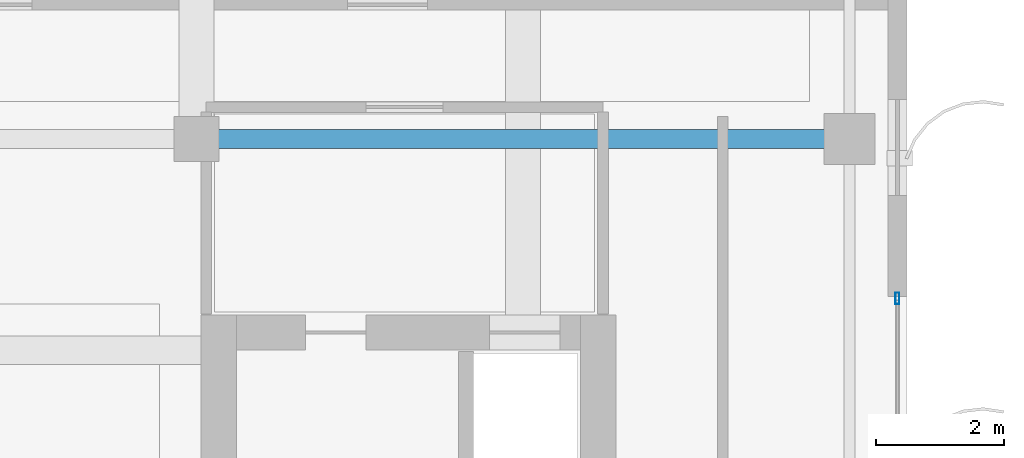
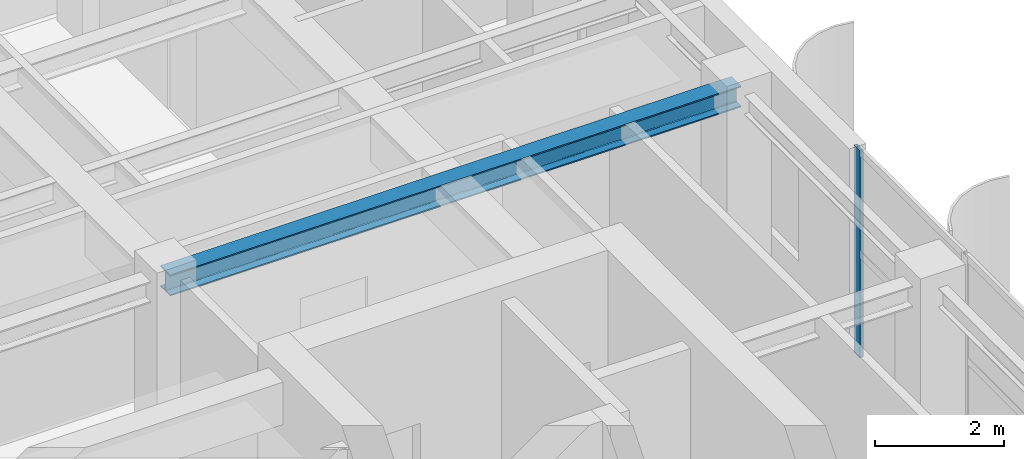
# One storey, part 7 of 19: 1 beam, 1 member, 1 element without a shape of its own.
"""IFC4 building model written with IfcOpenShell, lengths in metres."""

from ifc_helpers import new_model, si_unit, direction, frame, origin, origin_2d, place, context, subcontext, project, spatial, hollow_rectangle, i_section, extrude, source, transform, mapped, material, layer, layer_set, material_profile, profile_set, type_object, element, aggregate, save


model = new_model("IFC4")

# Units and contexts
model_context = context("Model", 3, precision=1e-05, world=origin(), true_north=direction((0.0, 1.0)))
body_context = subcontext(model_context, "Body", "Model", "MODEL_VIEW")
ifc_project = project(units=[si_unit("LENGTHUNIT", "METRE"), si_unit("AREAUNIT", "SQUARE_METRE"), si_unit("VOLUMEUNIT", "CUBIC_METRE"), si_unit("PLANEANGLEUNIT", "RADIAN"), si_unit("MASSUNIT", "GRAM", prefix="KILO")], contexts=[model_context])

# Site, building, storey
site_placement = place(None, origin())
site = spatial("IfcSite", under=ifc_project, at=site_placement, CompositionType="ELEMENT")
building_placement = place(site_placement, origin())
building = spatial("IfcBuilding", under=site, at=building_placement, Name="Khoralis Quay Care Tower", CompositionType="ELEMENT")
storey_placement = place(building_placement, frame((0.0, 0.0, 285.300048828125)))
storey = spatial("IfcBuildingStorey", under=building, at=storey_placement, Name="L75", CompositionType="ELEMENT", Elevation=285.300048828125)

# Beam
ifc_material_1 = material(Name="Steel S355", Category="steel")
ifc_material_profile_1 = material_profile(ifc_material_1, i_section(OverallWidth=0.300048828125, OverallDepth=0.39990234375, WebThickness=0.013427734375, FlangeThickness=0.02392578125, FilletRadius=0.027099609375, at=origin_2d()), Name="Steel S355")
ifc_profile_set_1 = profile_set([ifc_material_profile_1], Name="Steel S355")
beam_type = type_object("IfcBeamType", Name="BM-HEB400", PredefinedType="BEAM", material=ifc_profile_set_1)
shared_shape_1 = source(origin(), body_context, "Body", "SweptSolid", [
    extrude(i_section(OverallWidth=0.300048828125, OverallDepth=0.39990234375, WebThickness=0.013427734375, FlangeThickness=0.02392578125, FilletRadius=0.027099609375, at=origin_2d()), origin(), (0.0, 0.0, 1.0), 10.2001953125),
])
beam_placement = place(storey_placement, frame((30.89990234375, 30.0, 3.719970703125), z_axis=(1.0, 0.0, 0.0), x_axis=(0.0, 1.0, 0.0)))
element("IfcBeam", 1, at=beam_placement, inside=storey, type_object=beam_type, Name="BM-TGXE-L75-300", PredefinedType="BEAM", context=body_context, shape_type="MappedRepresentation", body=[
    mapped(shared_shape_1, transform((0.0, 0.0, 0.0), scale=1.0)),
])

# Curtain wall, member
ifc_material_2 = material(Name="Pale anodised aluminium", Category="aluminium")
ifc_layer = layer(ifc_material_2, 0.159912109375)
ifc_layer_set = layer_set([ifc_layer], Name="Pale anodised aluminium")
curtain_wall_type = type_object("IfcCurtainWallType", Name="CW-SYS-Z3", PredefinedType="NOTDEFINED", material=ifc_layer_set)
curtain_wall_placement = place(storey_placement, origin())
curtain_wall = element("IfcCurtainWall", 2, at=curtain_wall_placement, inside=storey, type_object=curtain_wall_type, Name="L75 Unitised Curtain Wall CW-L75-P1-E5", PredefinedType="NOTDEFINED")
ifc_material_profile_2 = material_profile(ifc_material_2, hollow_rectangle(XDim=0.06494140625, YDim=0.179931640625, WallThickness=0.00390625, at=origin_2d()), Name="Pale anodised aluminium")
ifc_profile_set_2 = profile_set([ifc_material_profile_2], Name="Pale anodised aluminium")
member_type = type_object("IfcMemberType", Name="CW-MUL-180", PredefinedType="MULLION", material=ifc_profile_set_2)
shared_shape_2 = source(origin(), body_context, "Body", "SweptSolid", [
    extrude(hollow_rectangle(XDim=0.06494140625, YDim=0.179931640625, WallThickness=0.00390625, at=origin_2d()), origin(), (0.0, 0.0, 1.0), 3.919921875),
])
member_placement = place(storey_placement, frame((41.85009765625, 27.510009765625, 0.0), z_axis=(0.0, 0.0, 1.0), x_axis=(-1.0, 0.0, 0.0)))
member = element("IfcMember", 3, at=member_placement, type_object=member_type, Name="CW3 mullion 4", PredefinedType="MULLION", context=body_context, shape_type="MappedRepresentation", body=[
    mapped(shared_shape_2, transform((0.0, 0.0, 0.0), scale=1.0)),
])
aggregate(curtain_wall, [member])

save(model, "model.ifc")
